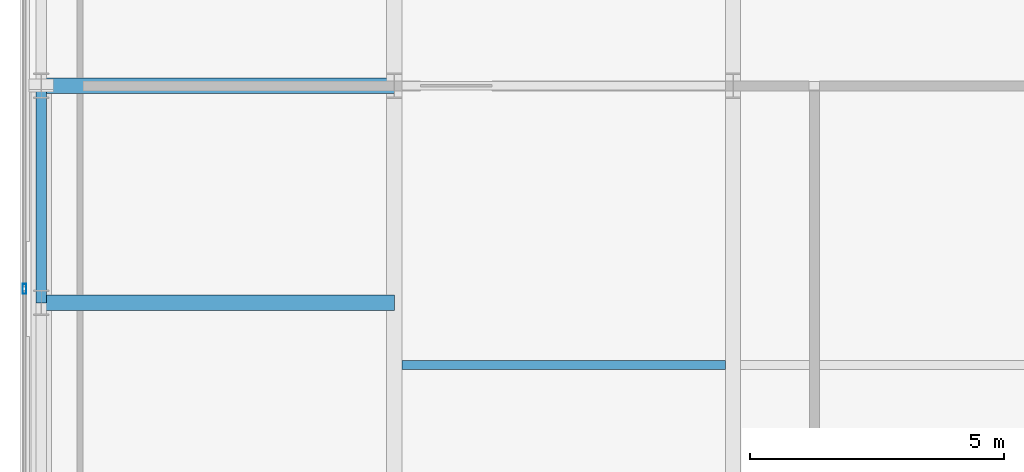
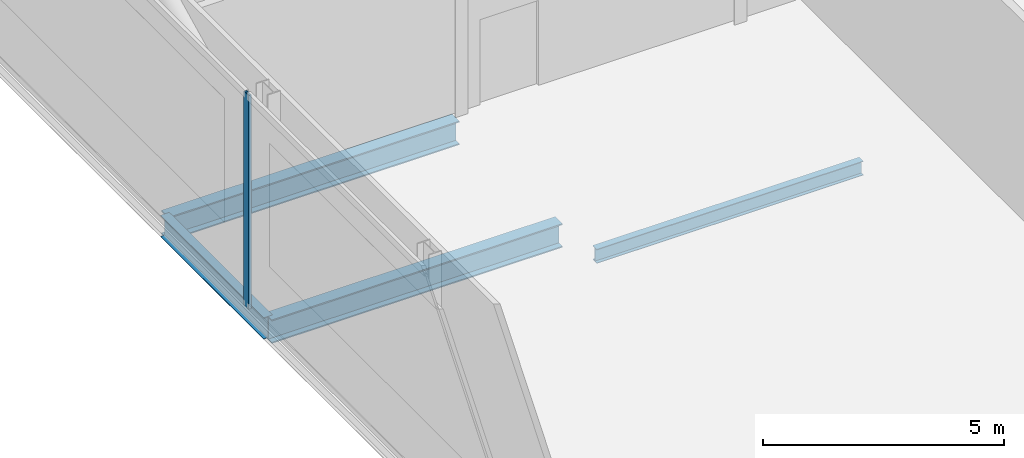
# One storey, part 8 of 22: 4 beams, 1 member, 1 element without a shape of its own.
"""IFC4 building model written with IfcOpenShell, lengths in metres."""

from ifc_helpers import new_model, si_unit, direction, frame, origin, origin_2d, place, context, subcontext, project, spatial, hollow_rectangle, i_section, extrude, material, material_profile, profile_set, type_object, element, aggregate, save


model = new_model("IFC4")

# Units and contexts
model_context = context("Model", 3, precision=1e-05, world=origin(), true_north=direction((0.0, 1.0)))
body_context = subcontext(model_context, "Body", "Model", "MODEL_VIEW")
ifc_project = project(units=[si_unit("LENGTHUNIT", "METRE"), si_unit("AREAUNIT", "SQUARE_METRE"), si_unit("VOLUMEUNIT", "CUBIC_METRE"), si_unit("PLANEANGLEUNIT", "RADIAN"), si_unit("MASSUNIT", "GRAM", prefix="KILO")], contexts=[model_context])

# Site, building, storey
site_placement = place(None, origin())
site = spatial("IfcSite", under=ifc_project, at=site_placement, CompositionType="ELEMENT")
building_placement = place(site_placement, origin())
building = spatial("IfcBuilding", under=site, at=building_placement, Name="Khoronbel Lancet Exchange", CompositionType="ELEMENT")
storey_placement = place(building_placement, frame((0.0, 0.0, 367.39990234375)))
storey = spatial("IfcBuildingStorey", under=building, at=storey_placement, Name="L94", CompositionType="ELEMENT", Elevation=367.39990234375)

# Beams
ifc_material_1 = material(Name="Steel S355", Category="steel")
ifc_material_profile_1 = material_profile(ifc_material_1, i_section(OverallWidth=0.300048828125, OverallDepth=0.60009765625, WebThickness=0.015380859375, FlangeThickness=0.030029296875, at=origin_2d()), Name="HEB 600")
ifc_profile_set_1 = profile_set([ifc_material_profile_1], Name="Steel S355")
beam_type_1 = type_object("IfcBeamType", Name="BM-BG5", PredefinedType="BEAM", material=ifc_profile_set_1)
for number, where, z_axis, x_axis, name in (
    (1, (11.27001953125, 31.425048828125, -0.5), (1.0, 0.0, 0.0), (0.0, 1.0, 0.0), "Level L94 west lens tie girder LG2W"),
    (2, (11.27001953125, 35.699951171875, -0.5), (1.0, 0.0, 0.0), (0.0, 1.0, 0.0), "Level L94 west lens tie girder LG4W"),
):
    element("IfcBeam", number, at=place(storey_placement, frame(where, z_axis=z_axis, x_axis=x_axis)), inside=storey, type_object=beam_type_1, Name=name, PredefinedType="BEAM", context=body_context, shape_type="SweptSolid", body=[
        extrude(i_section(OverallWidth=0.300048828125, OverallDepth=0.60009765625, WebThickness=0.015380859375, FlangeThickness=0.030029296875, at=origin_2d()), origin(), (0.0, 0.0, 1.0), 6.955078125),
    ])
ifc_material_profile_2 = material_profile(ifc_material_1, i_section(OverallWidth=0.169921875, OverallDepth=0.360107421875, WebThickness=0.008056640625, FlangeThickness=0.0126953125, at=origin_2d()), Name="IPE 360")
ifc_profile_set_2 = profile_set([ifc_material_profile_2], Name="Steel S355")
beam_type_2 = type_object("IfcBeamType", Name="BM-BJ6", PredefinedType="JOIST", material=ifc_profile_set_2)
beam_1_placement = place(storey_placement, frame((18.375, 30.199951171875, -0.3798828125), z_axis=(1.0, 0.0, 0.0), x_axis=(0.0, 1.0, 0.0)))
element("IfcBeam", 3, at=beam_1_placement, inside=storey, type_object=beam_type_2, Name="Level L94 secondary composite joist J07", PredefinedType="JOIST", context=body_context, shape_type="SweptSolid", body=[
    extrude(i_section(OverallWidth=0.169921875, OverallDepth=0.360107421875, WebThickness=0.008056640625, FlangeThickness=0.0126953125, at=origin_2d()), origin(), (0.0, 0.0, 1.0), 6.375),
])
ifc_material_profile_3 = material_profile(ifc_material_1, i_section(OverallWidth=0.2099609375, OverallDepth=0.550048828125, WebThickness=0.010986328125, FlangeThickness=0.01708984375, at=origin_2d()), Name="IPE 550")
ifc_profile_set_3 = profile_set([ifc_material_profile_3], Name="Steel S355")
beam_type_3 = type_object("IfcBeamType", Name="BM-BSP3", PredefinedType="SPANDREL", material=ifc_profile_set_3)
beam_2_placement = place(storey_placement, frame((11.27001953125, 35.699951171875, -0.474853515625), z_axis=(0.0, -1.0, 0.0), x_axis=(1.0, 0.0, 0.0)))
element("IfcBeam", 4, at=beam_2_placement, inside=storey, type_object=beam_type_3, Name="Level L94 perimeter spandrel beam SP16", PredefinedType="SPANDREL", context=body_context, shape_type="SweptSolid", body=[
    extrude(i_section(OverallWidth=0.2099609375, OverallDepth=0.550048828125, WebThickness=0.010986328125, FlangeThickness=0.01708984375, at=origin_2d()), origin(), (0.0, 0.0, 1.0), 4.27490234375),
])

# Curtain wall, member
ifc_material_2 = material(Name="Low-E Solar Control Insulating Glass", Category="glass")
curtain_wall_type = type_object("IfcCurtainWallType", Name="CW-6", PredefinedType="NOTDEFINED", material=ifc_material_2)
curtain_wall_placement = place(storey_placement, origin())
curtain_wall = element("IfcCurtainWall", 5, at=curtain_wall_placement, inside=storey, type_object=curtain_wall_type, Name="Unitised curtain wall CW-L94-E03", PredefinedType="NOTDEFINED")
ifc_material_3 = material(Name="Bronze-Anodised Aluminium 6063-T6", Category="aluminium")
ifc_material_profile_4 = material_profile(ifc_material_3, hollow_rectangle(XDim=0.074951171875, YDim=0.199951171875, WallThickness=0.0048828125, at=origin_2d()), Name="ALU MULLION 75x200")
ifc_profile_set_4 = profile_set([ifc_material_profile_4], Name="Bronze-Anodised Aluminium 6063-T6")
member_type = type_object("IfcMemberType", Name="MEM-CWM2", PredefinedType="MULLION", material=ifc_profile_set_4)
member_placement = place(storey_placement, frame((10.93994140625, 31.699951171875, 0.0), z_axis=(0.0, 0.0, 1.0), x_axis=(-1.0, 0.0, 0.0)))
member = element("IfcMember", 6, at=member_placement, type_object=member_type, Name="CW6 mullion 2", PredefinedType="MULLION", context=body_context, shape_type="SweptSolid", body=[
    extrude(hollow_rectangle(XDim=0.074951171875, YDim=0.199951171875, WallThickness=0.0048828125, at=origin_2d()), origin(), (0.0, 0.0, 1.0), 5.400146484375),
])
aggregate(curtain_wall, [member])

save(model, "model.ifc")
